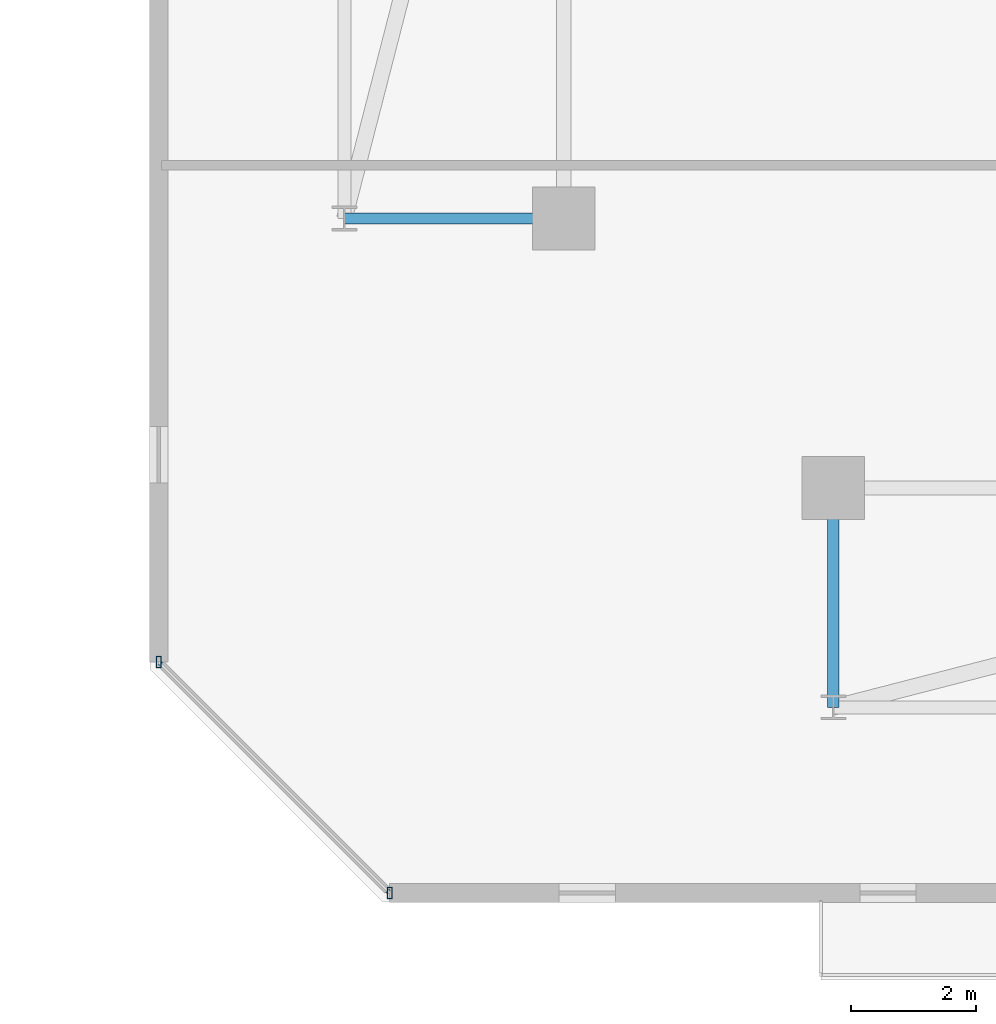
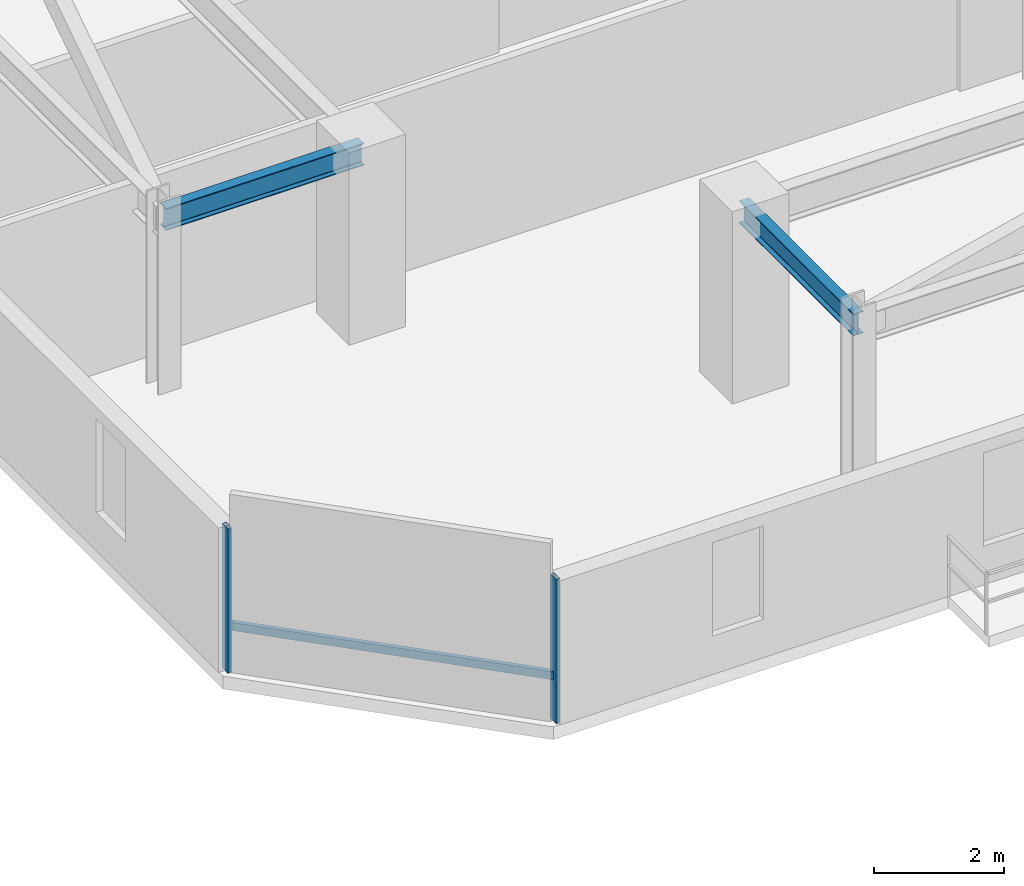
# One storey, part 11 of 33: 3 members, 2 beams, 1 element without a shape of its own.
"""IFC4 building model written with IfcOpenShell, lengths in metres."""

from ifc_helpers import new_model, si_unit, direction, frame, origin, origin_2d, place, context, subcontext, project, spatial, hollow_rectangle, i_section, extrude, material, material_profile, profile_set, type_object, element, aggregate, save


model = new_model("IFC4")

# Units and contexts
model_context = context("Model", 3, precision=1e-05, world=origin(), true_north=direction((0.0, 1.0)))
body_context = subcontext(model_context, "Body", "Model", "MODEL_VIEW")
ifc_project = project(units=[si_unit("LENGTHUNIT", "METRE"), si_unit("AREAUNIT", "SQUARE_METRE"), si_unit("VOLUMEUNIT", "CUBIC_METRE"), si_unit("PLANEANGLEUNIT", "RADIAN"), si_unit("MASSUNIT", "GRAM", prefix="KILO")], contexts=[model_context])

# Site, building, storey
site_placement = place(None, origin())
site = spatial("IfcSite", under=ifc_project, at=site_placement, CompositionType="ELEMENT")
building_placement = place(site_placement, origin())
building = spatial("IfcBuilding", under=site, at=building_placement, Name="Thornwick Lancets Civic Towers", CompositionType="ELEMENT")
storey_placement = place(building_placement, frame((0.0, 0.0, 207.300048828125)))
storey = spatial("IfcBuildingStorey", under=building, at=storey_placement, Name="L55", CompositionType="ELEMENT", Elevation=207.300048828125)

# Beams
ifc_material_1 = material(Name="Steel S355JR", Category="steel")
ifc_material_profile_1 = material_profile(ifc_material_1, i_section(OverallWidth=0.179443359375, OverallDepth=0.412841796875, WebThickness=0.009521484375, FlangeThickness=0.01611328125, FilletRadius=0.01025390625, at=origin_2d()), Name="UKB 406x178x74")
ifc_profile_set_1 = profile_set([ifc_material_profile_1], Name="Steel S355JR")
beam_type = type_object("IfcBeamType", Name="BM_JOIST_406_74", PredefinedType="JOIST", material=ifc_profile_set_1)
for number, where, z_axis, x_axis, name in (
    (1, (71.199951171875, 14.0, 3.153564453125), (-1.0, 0.0, 0.0), (0.0, -1.0, 0.0), "BM-RAD-L55-B07"),
    (2, (75.5, 9.699951171875, 3.153564453125), (0.0, -1.0, 0.0), (1.0, 0.0, 0.0), "BM-RAD-L55-B12"),
):
    element("IfcBeam", number, at=place(storey_placement, frame(where, z_axis=z_axis, x_axis=x_axis)), inside=storey, type_object=beam_type, Name=name, PredefinedType="JOIST", context=body_context, shape_type="SweptSolid", body=[
        extrude(i_section(OverallWidth=0.179443359375, OverallDepth=0.412841796875, WebThickness=0.009521484375, FlangeThickness=0.01611328125, FilletRadius=0.01025390625, at=origin_2d()), origin(), (0.0, 0.0, 1.0), 3.5),
    ])

# Curtain wall, members
ifc_material_2 = material(Name="High-zone chamfered-corner unitised glass curtain wall", Category="glass")
curtain_wall_type = type_object("IfcCurtainWallType", Name="CW_SYS_05", PredefinedType="NOTDEFINED", material=ifc_material_2)
curtain_wall_placement = place(storey_placement, origin())
curtain_wall = element("IfcCurtainWall", 3, at=curtain_wall_placement, inside=storey, type_object=curtain_wall_type, Name="L55 Curtain Wall CW-L55-B-E7", PredefinedType="NOTDEFINED")
ifc_material_3 = material(Name="Thermally broken bronze aluminium S355", Category="steel")
ifc_material_profile_2 = material_profile(ifc_material_3, hollow_rectangle(XDim=0.074951171875, YDim=0.179931640625, WallThickness=0.006103515625, at=origin_2d()), Name="RHS 180x75x6")
ifc_profile_set_2 = profile_set([ifc_material_profile_2], Name="Thermally broken bronze aluminium S355")
member_type_1 = type_object("IfcMemberType", Name="CW_MUL_180", PredefinedType="MULLION", material=ifc_profile_set_2)
member_1_placement = place(storey_placement, frame((64.739013671875, 6.92236328125, 0.0), z_axis=(0.0, 0.0, 1.0), x_axis=(1.0, 0.0, 0.0)))
member_1 = element("IfcMember", 4, at=member_1_placement, type_object=member_type_1, Name="CW-L55-B-E7 Mullion 0", PredefinedType="MULLION", context=body_context, shape_type="SweptSolid", body=[
    extrude(hollow_rectangle(XDim=0.074951171875, YDim=0.179931640625, WallThickness=0.006103515625, at=origin_2d()), origin(), (0.0, 0.0, 1.0), 2.699951171875),
])
member_2_placement = place(storey_placement, frame((68.42236328125, 3.239013671875, 0.0), z_axis=(0.0, 0.0, 1.0), x_axis=(1.0, 0.0, 0.0)))
member_2 = element("IfcMember", 5, at=member_2_placement, type_object=member_type_1, Name="CW-L55-B-E7 Mullion 1", PredefinedType="MULLION", context=body_context, shape_type="SweptSolid", body=[
    extrude(hollow_rectangle(XDim=0.074951171875, YDim=0.179931640625, WallThickness=0.006103515625, at=origin_2d()), origin(), (0.0, 0.0, 1.0), 2.699951171875),
])
ifc_material_profile_3 = material_profile(ifc_material_3, hollow_rectangle(XDim=0.074951171875, YDim=0.14990234375, WallThickness=0.0048828125, at=origin_2d()), Name="RHS 150x75x5")
ifc_profile_set_3 = profile_set([ifc_material_profile_3], Name="Thermally broken bronze aluminium S355")
member_type_2 = type_object("IfcMemberType", Name="CW_TRN_150", PredefinedType="USERDEFINED", material=ifc_profile_set_3)
member_3_placement = place(storey_placement, frame((64.753173828125, 6.908203125, 0.849853515625), z_axis=(0.707106781187, -0.707106781187, 0.0), x_axis=(0.707106781187, 0.707106781187, 0.0)))
member_3 = element("IfcMember", 6, at=member_3_placement, type_object=member_type_2, Name="CW-L55-B-E7 Transom 0", ObjectType="TRANSOM", PredefinedType="USERDEFINED", context=body_context, shape_type="SweptSolid", body=[
    extrude(hollow_rectangle(XDim=0.074951171875, YDim=0.14990234375, WallThickness=0.0048828125, at=origin_2d()), origin(), (0.0, 0.0, 1.0), 5.1689453125),
])
aggregate(curtain_wall, [member_1, member_2, member_3])

save(model, "model.ifc")
